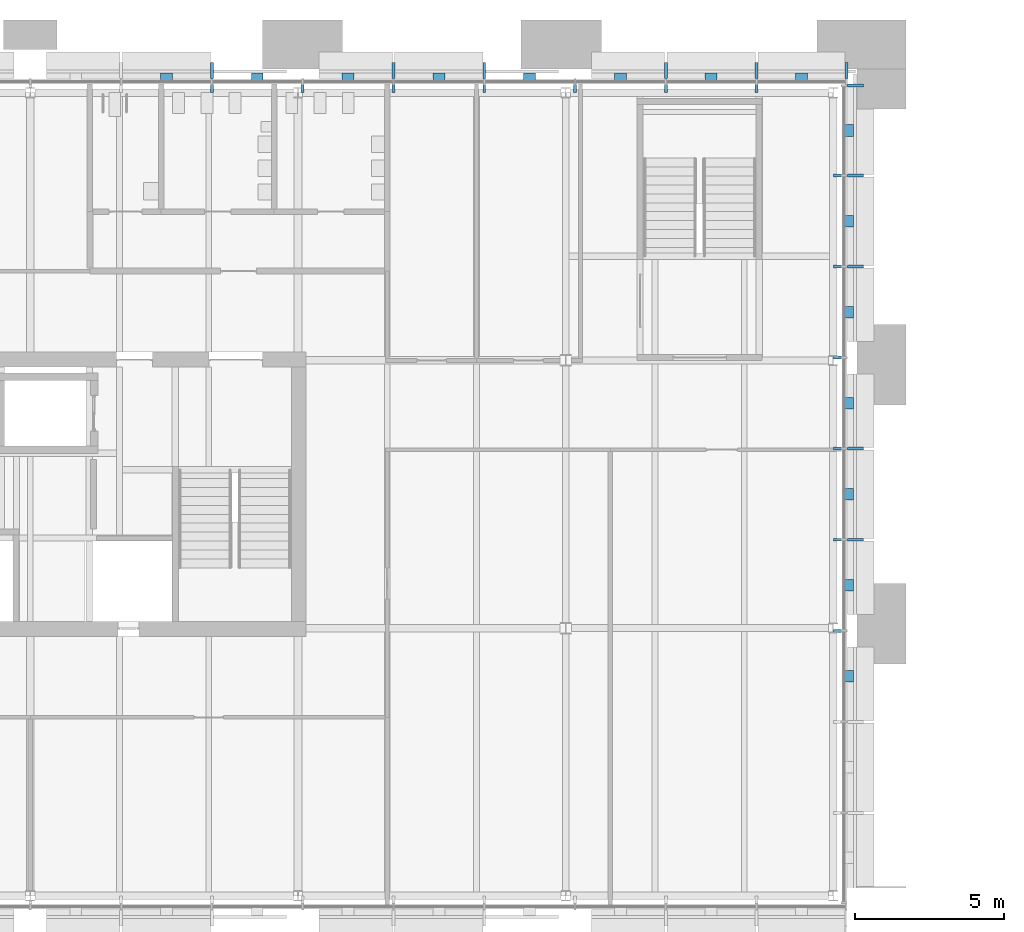
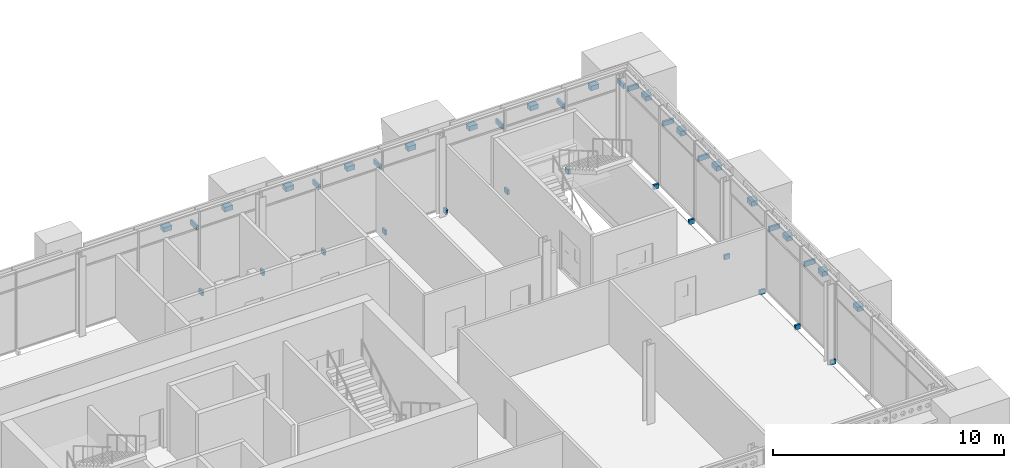
# One storey, part 29 of 37: 39 discrete accessories.
"""IFC4 building model written with IfcOpenShell, lengths in metres."""

from ifc_helpers import new_model, si_unit, direction, frame, origin, origin_2d, place, context, subcontext, project, spatial, rectangle, extrude, material, type_object, element, save


model = new_model("IFC4")

# Units and contexts
model_context = context("Model", 3, precision=1e-05, world=origin(), true_north=direction((0.0, 1.0)))
body_context = subcontext(model_context, "Body", "Model", "MODEL_VIEW")
ifc_project = project(units=[si_unit("LENGTHUNIT", "METRE"), si_unit("AREAUNIT", "SQUARE_METRE"), si_unit("VOLUMEUNIT", "CUBIC_METRE"), si_unit("PLANEANGLEUNIT", "RADIAN"), si_unit("MASSUNIT", "GRAM", prefix="KILO")], contexts=[model_context])

# Site, building, storey
site_placement = place(None, origin())
site = spatial("IfcSite", under=ifc_project, at=site_placement, CompositionType="ELEMENT")
building_placement = place(site_placement, origin())
building = spatial("IfcBuilding", under=site, at=building_placement, Name="Baradari Gate Terminus", CompositionType="ELEMENT")
storey_placement = place(building_placement, frame((0.0, 0.0, 24.300048828125)))
storey = spatial("IfcBuildingStorey", under=building, at=storey_placement, Name="L05", CompositionType="ELEMENT", Elevation=24.300048828125)

# Discrete accessories
ifc_material_1 = material(Name="Steel S275", Category="steel")
discrete_accessory_type_1 = type_object("IfcDiscreteAccessoryType", Name="Chhajja bracket BK-3 galvanised steel", PredefinedType="BRACKET", material=ifc_material_1)
for number, where, z_axis, x_axis, name in (
    (1, (42.1044921875, 144.739990234375, 3.08251953125), (0.0, 0.0, 1.0), (0.0, 1.0, 0.0), "Chhajja bracket BK-3 L05/TN mullion 12"),
    (2, (48.208984375, 144.739990234375, 3.08251953125), (0.0, 0.0, 1.0), (0.0, 1.0, 0.0), "Chhajja bracket BK-3 L05/TN mullion 14"),
    (3, (51.26123046875, 144.739990234375, 3.08251953125), (0.0, 0.0, 1.0), (0.0, 1.0, 0.0), "Chhajja bracket BK-3 L05/TN mullion 15"),
    (4, (57.365478515625, 144.739990234375, 3.08251953125), (0.0, 0.0, 1.0), (0.0, 1.0, 0.0), "Chhajja bracket BK-3 L05/TN mullion 17"),
    (5, (60.417724609375, 144.739990234375, 3.08251953125), (0.0, 0.0, 1.0), (0.0, 1.0, 0.0), "Chhajja bracket BK-3 L05/TN mullion 18"),
    (6, (63.4375, 144.739990234375, 3.08251953125), (0.0, 0.0, 1.0), (0.0, 1.0, 0.0), "Chhajja bracket BK-3 L05/TN mullion 19"),
    (7, (63.739990234375, 128.969970703125, 3.08251953125), (0.0, 0.0, 1.0), (1.0, 0.0, 0.0), "Chhajja bracket BK-3 L05/TE mullion 5"),
    (8, (63.739990234375, 132.030029296875, 3.08251953125), (0.0, 0.0, 1.0), (1.0, 0.0, 0.0), "Chhajja bracket BK-3 L05/TE mullion 6"),
    (9, (63.739990234375, 138.14990234375, 3.08251953125), (0.0, 0.0, 1.0), (1.0, 0.0, 0.0), "Chhajja bracket BK-3 L05/TE mullion 8"),
    (10, (63.739990234375, 141.2099609375, 3.08251953125), (0.0, 0.0, 1.0), (1.0, 0.0, 0.0), "Chhajja bracket BK-3 L05/TE mullion 9"),
    (11, (63.739990234375, 144.237548828125, 3.08251953125), (0.0, 0.0, 1.0), (1.0, 0.0, 0.0), "Chhajja bracket BK-3 L05/TE mullion 10"),
):
    element("IfcDiscreteAccessory", number, at=place(storey_placement, frame(where, z_axis=z_axis, x_axis=x_axis)), inside=storey, type_object=discrete_accessory_type_1, Name=name, PredefinedType="BRACKET", context=body_context, shape_type="SweptSolid", body=[
        extrude(rectangle(XDim=0.5400390625, YDim=0.10009765625, at=origin_2d()), origin(), (0.0, 0.0, 1.0), 0.25),
    ])
ifc_material_2 = material(Name="Aluminium 6063-T6", Category="aluminium")
discrete_accessory_type_2 = type_object("IfcDiscreteAccessoryType", Name="Curtain wall bracket BK-1 100x250", PredefinedType="BRACKET", material=ifc_material_2)
for number, where, z_axis, x_axis, name in (
    (12, (42.1044921875, 144.135009765625, -0.10009765625), (0.0, 0.0, 1.0), (0.0, 1.0, 0.0), "Curtain wall bracket BK-1 L05/TN mullion 12"),
    (13, (45.15673828125, 144.135009765625, -0.10009765625), (0.0, 0.0, 1.0), (0.0, 1.0, 0.0), "Curtain wall bracket BK-1 L05/TN mullion 13"),
    (14, (48.208984375, 144.135009765625, -0.10009765625), (0.0, 0.0, 1.0), (0.0, 1.0, 0.0), "Curtain wall bracket BK-1 L05/TN mullion 14"),
    (15, (51.26123046875, 144.135009765625, -0.10009765625), (0.0, 0.0, 1.0), (0.0, 1.0, 0.0), "Curtain wall bracket BK-1 L05/TN mullion 15"),
    (16, (54.313232421875, 144.135009765625, -0.10009765625), (0.0, 0.0, 1.0), (0.0, 1.0, 0.0), "Curtain wall bracket BK-1 L05/TN mullion 16"),
    (17, (57.365478515625, 144.135009765625, -0.10009765625), (0.0, 0.0, 1.0), (0.0, 1.0, 0.0), "Curtain wall bracket BK-1 L05/TN mullion 17"),
    (18, (60.417724609375, 144.135009765625, -0.10009765625), (0.0, 0.0, 1.0), (0.0, 1.0, 0.0), "Curtain wall bracket BK-1 L05/TN mullion 18"),
    (19, (63.135009765625, 125.909912109375, -0.10009765625), (0.0, 0.0, 1.0), (1.0, 0.0, 0.0), "Curtain wall bracket BK-1 L05/TE mullion 4"),
    (20, (63.135009765625, 128.969970703125, -0.10009765625), (0.0, 0.0, 1.0), (1.0, 0.0, 0.0), "Curtain wall bracket BK-1 L05/TE mullion 5"),
    (21, (63.135009765625, 132.030029296875, -0.10009765625), (0.0, 0.0, 1.0), (1.0, 0.0, 0.0), "Curtain wall bracket BK-1 L05/TE mullion 6"),
    (22, (63.135009765625, 135.090087890625, -0.10009765625), (0.0, 0.0, 1.0), (1.0, 0.0, 0.0), "Curtain wall bracket BK-1 L05/TE mullion 7"),
    (23, (63.135009765625, 138.14990234375, -0.10009765625), (0.0, 0.0, 1.0), (1.0, 0.0, 0.0), "Curtain wall bracket BK-1 L05/TE mullion 8"),
    (24, (63.135009765625, 141.2099609375, -0.10009765625), (0.0, 0.0, 1.0), (1.0, 0.0, 0.0), "Curtain wall bracket BK-1 L05/TE mullion 9"),
):
    element("IfcDiscreteAccessory", number, at=place(storey_placement, frame(where, z_axis=z_axis, x_axis=x_axis)), inside=storey, type_object=discrete_accessory_type_2, Name=name, PredefinedType="BRACKET", context=body_context, shape_type="SweptSolid", body=[
        extrude(rectangle(XDim=0.27001953125, YDim=0.10009765625, at=origin_2d()), origin(), (0.0, 0.0, 1.0), 0.25),
    ])
ifc_material_3 = material(Name="Stainless steel 316", Category="steel")
discrete_accessory_type_3 = type_object("IfcDiscreteAccessoryType", Name="Jali screen bracket BK-2 stainless steel", PredefinedType="BRACKET", material=ifc_material_3)
for number, where, z_axis, x_axis, name in (
    (25, (40.578369140625, 144.527587890625, 3.608642578125), (0.0, 0.0, 1.0), (0.0, 1.0, 0.0), "Jali screen bracket BK-2 L05/TN bay 11"),
    (26, (43.630615234375, 144.527587890625, 3.608642578125), (0.0, 0.0, 1.0), (0.0, 1.0, 0.0), "Jali screen bracket BK-2 L05/TN bay 12"),
    (27, (46.682861328125, 144.527587890625, 3.608642578125), (0.0, 0.0, 1.0), (0.0, 1.0, 0.0), "Jali screen bracket BK-2 L05/TN bay 13"),
    (28, (49.735107421875, 144.527587890625, 3.608642578125), (0.0, 0.0, 1.0), (0.0, 1.0, 0.0), "Jali screen bracket BK-2 L05/TN bay 14"),
    (29, (52.787109375, 144.527587890625, 3.608642578125), (0.0, 0.0, 1.0), (0.0, 1.0, 0.0), "Jali screen bracket BK-2 L05/TN bay 15"),
    (30, (55.83935546875, 144.527587890625, 3.608642578125), (0.0, 0.0, 1.0), (0.0, 1.0, 0.0), "Jali screen bracket BK-2 L05/TN bay 16"),
    (31, (58.8916015625, 144.527587890625, 3.608642578125), (0.0, 0.0, 1.0), (0.0, 1.0, 0.0), "Jali screen bracket BK-2 L05/TN bay 17"),
    (32, (61.927734375, 144.527587890625, 3.608642578125), (0.0, 0.0, 1.0), (0.0, 1.0, 0.0), "Jali screen bracket BK-2 L05/TN bay 18"),
    (33, (63.527587890625, 124.3798828125, 3.608642578125), (0.0, 0.0, 1.0), (1.0, 0.0, 0.0), "Jali screen bracket BK-2 L05/TE bay 3"),
    (34, (63.527587890625, 127.43994140625, 3.608642578125), (0.0, 0.0, 1.0), (1.0, 0.0, 0.0), "Jali screen bracket BK-2 L05/TE bay 4"),
    (35, (63.527587890625, 130.5, 3.608642578125), (0.0, 0.0, 1.0), (1.0, 0.0, 0.0), "Jali screen bracket BK-2 L05/TE bay 5"),
    (36, (63.527587890625, 133.56005859375, 3.608642578125), (0.0, 0.0, 1.0), (1.0, 0.0, 0.0), "Jali screen bracket BK-2 L05/TE bay 6"),
    (37, (63.527587890625, 136.6201171875, 3.608642578125), (0.0, 0.0, 1.0), (1.0, 0.0, 0.0), "Jali screen bracket BK-2 L05/TE bay 7"),
    (38, (63.527587890625, 139.679931640625, 3.608642578125), (0.0, 0.0, 1.0), (1.0, 0.0, 0.0), "Jali screen bracket BK-2 L05/TE bay 8"),
    (39, (63.527587890625, 142.7236328125, 3.608642578125), (0.0, 0.0, 1.0), (1.0, 0.0, 0.0), "Jali screen bracket BK-2 L05/TE bay 9"),
):
    element("IfcDiscreteAccessory", number, at=place(storey_placement, frame(where, z_axis=z_axis, x_axis=x_axis)), inside=storey, type_object=discrete_accessory_type_3, Name=name, PredefinedType="BRACKET", context=body_context, shape_type="SweptSolid", body=[
        extrude(rectangle(XDim=0.284912109375, YDim=0.39990234375, at=origin_2d()), origin(), (0.0, 0.0, 1.0), 0.25),
    ])

save(model, "model.ifc")
